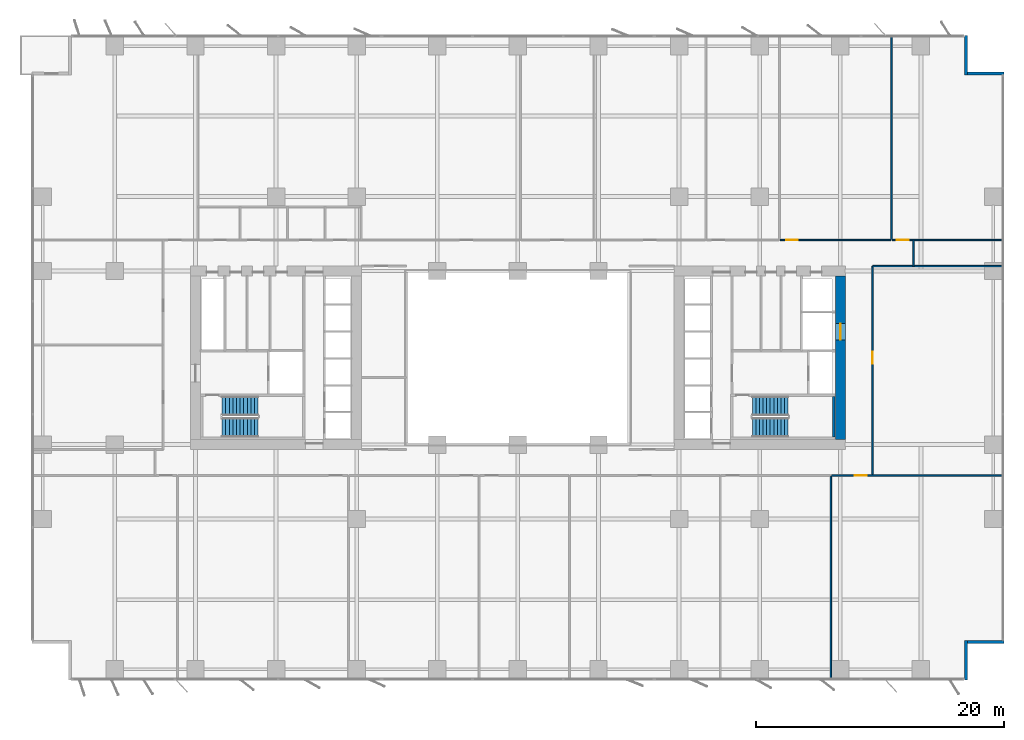
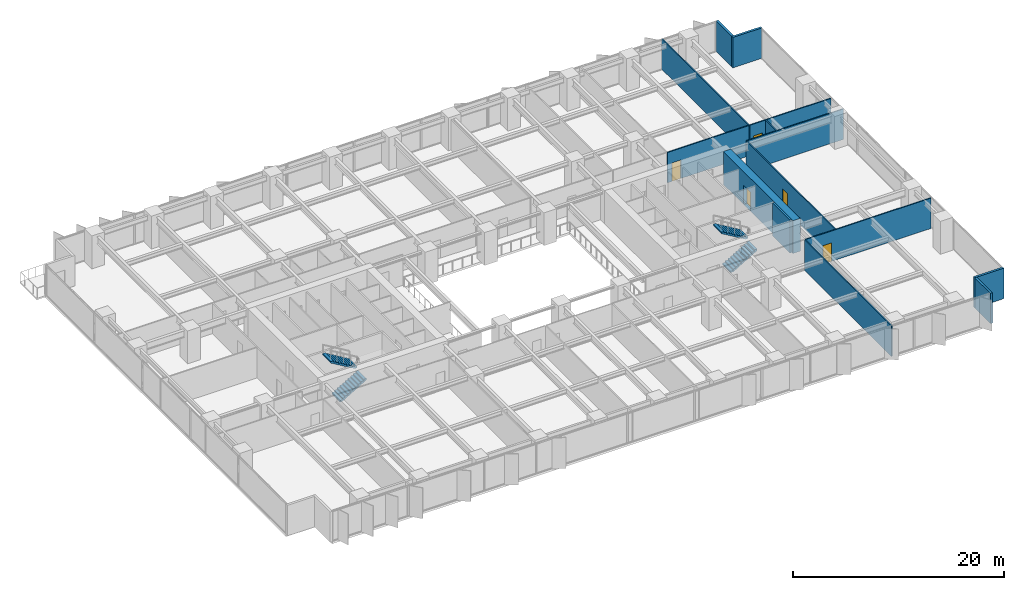
# One storey, part 16 of 20: 14 walls, 5 doors, 4 stair flights, 5 openings, 2 elements without a shape of their own.
"""IFC4 building model written with IfcOpenShell, lengths in metres."""

from ifc_helpers import new_model, si_unit, direction, frame, frame_2d, origin, place, context, subcontext, project, spatial, polyline, rectangle, outline, extrude, material, layer, layer_set, type_object, element, fill, aggregate, save


model = new_model("IFC4")

# Units and contexts
model_context = context("Model", 3, precision=1e-05, world=origin(), true_north=direction((0.0, 1.0)))
body_context = subcontext(model_context, "Body", "Model", "MODEL_VIEW")
ifc_project = project(units=[si_unit("LENGTHUNIT", "METRE"), si_unit("AREAUNIT", "SQUARE_METRE"), si_unit("VOLUMEUNIT", "CUBIC_METRE"), si_unit("PLANEANGLEUNIT", "RADIAN"), si_unit("MASSUNIT", "GRAM", prefix="KILO")], contexts=[model_context])

# Site, building, storey
site_placement = place(None, origin())
site = spatial("IfcSite", under=ifc_project, at=site_placement, CompositionType="ELEMENT")
building_placement = place(site_placement, origin())
building = spatial("IfcBuilding", under=site, at=building_placement, Name="Putna Gate Headquarters", CompositionType="ELEMENT")
storey_placement = place(building_placement, frame((0.0, 0.0, 77.199951171875)))
storey = spatial("IfcBuildingStorey", under=building, at=storey_placement, Name="L18", CompositionType="ELEMENT", Elevation=77.199951171875)

# Wall, opening, door
ifc_material_1 = material(Name="Concrete C60/75", Category="concrete")
ifc_layer_1 = layer(ifc_material_1, 0.800048828125)
ifc_layer_set_1 = layer_set([ifc_layer_1], Name="Concrete C60/75")
wall_type_1 = type_object("IfcWallType", Name="WALL-CORE-800", PredefinedType="SHEAR", material=ifc_layer_set_1)
wall_1_placement = place(storey_placement, frame((65.0, 19.39990234375, 0.0), z_axis=(0.0, 0.0, 1.0), x_axis=(0.0, 1.0, 0.0)))
wall_1 = element("IfcWall", 1, at=wall_1_placement, inside=storey, type_object=wall_type_1, Name="L18 EC Split Core Shear Wall E", PredefinedType="SHEAR", context=body_context, shape_type="SweptSolid", body=[
    extrude(rectangle(XDim=13.2001953125, YDim=0.800048828125, at=frame_2d((6.60009765625, 0.0))), origin(), (0.0, 0.0, 1.0), 3.800048828125),
])
opening_1_placement = place(wall_1_placement, frame((8.050048828125, 0.0, 0.0)))
opening_1 = element("IfcOpeningElement", 2, at=opening_1_placement, cuts=wall_1, Name="Opening LD-2", PredefinedType="OPENING", context=body_context, shape_type="SweptSolid", body=[
    extrude(rectangle(XDim=1.300048828125, YDim=2.199951171875, at=frame_2d((0.64990234375, 1.10009765625))), frame((0.0, 0.409912109375, 0.0), z_axis=(0.0, -1.0, 0.0), x_axis=(1.0, 0.0, 0.0)), (0.0, 0.0, 1.0), 0.820068359375),
])
ifc_material_2 = material(Name="Heavy-duty goods lift sliding landing door")
door_type_1 = type_object("IfcDoorType", Name="DOOR-LIFT-1300", OperationType="DOUBLE_DOOR_SLIDING", PredefinedType="DOOR", material=ifc_material_2)
door_1_placement = place(opening_1_placement, origin())
door_1 = element("IfcDoor", 3, at=door_1_placement, inside=storey, type_object=door_type_1, Name="L18 Goods Lift Landing Door LD-15", OperationType="DOUBLE_DOOR_SLIDING", OverallHeight=2.199951171875, OverallWidth=1.300048828125, PredefinedType="DOOR", context=body_context, shape_type="SweptSolid", body=[
    extrude(rectangle(XDim=1.300048828125, YDim=2.199951171875, at=frame_2d((0.64990234375, 1.10009765625))), frame((0.0, 0.02490234375, 0.0), z_axis=(0.0, -1.0, 0.0), x_axis=(1.0, 0.0, 0.0)), (0.0, 0.0, 1.0), 0.050048828125),
])
fill(opening_1, door_1)

# Walls
ifc_material_3 = material(Name="Precast concrete C40/50", Category="concrete")
ifc_layer_2 = layer(ifc_material_3, 0.239990234375)
ifc_layer_set_2 = layer_set([ifc_layer_2], Name="Precast concrete C40/50")
wall_type_2 = type_object("IfcWallType", Name="WALL-EXT-TERR-240", PredefinedType="STANDARD", material=ifc_layer_set_2)
for number, where, z_axis, x_axis, name in (
    (4, (75.1201171875, 52.0, 0.0), (0.0, 0.0, 1.0), (0.0, -1.0, 0.0), "L18 Corner Notch Return Wall NE-V"),
    (5, (75.0, 48.919921875, 0.0), (0.0, 0.0, 1.0), (1.0, 0.0, 0.0), "L18 Corner Notch Return Wall NE-H"),
    (6, (75.1201171875, 3.199951171875, 0.0), (0.0, 0.0, 1.0), (0.0, -1.0, 0.0), "L18 Corner Notch Return Wall SE-V"),
    (7, (78.199951171875, 3.080078125, 0.0), (0.0, 0.0, 1.0), (-1.0, 0.0, 0.0), "L18 Corner Notch Return Wall SE-H"),
):
    element("IfcWall", number, at=place(storey_placement, frame(where, z_axis=z_axis, x_axis=x_axis)), inside=storey, type_object=wall_type_2, Name=name, PredefinedType="STANDARD", context=body_context, shape_type="SweptSolid", body=[
        extrude(rectangle(XDim=3.199951171875, YDim=0.239990234375, at=frame_2d((1.60009765625, 0.0))), origin(), (0.0, 0.0, 1.0), 3.52001953125),
    ])
ifc_material_4 = material(Name="Acoustic gypsum board on metal stud")
ifc_layer_3 = layer(ifc_material_4, 0.1201171875)
ifc_layer_set_3 = layer_set([ifc_layer_3], Name="Acoustic gypsum board on metal stud")
wall_type_3 = type_object("IfcWallType", Name="WALL-PART-120", PredefinedType="PARTITIONING", material=ifc_layer_set_3)
for number, where, z_axis, x_axis, name in (
    (8, (69.1123046875, 35.56005859375, 0.0), (0.0, 0.0, 1.0), (0.0, 1.0, 0.0), "L18 Interior Wall PART-L18-NB-DIV-06"),
    (9, (64.230224609375, 0.02001953125, 0.0), (0.0, 0.0, 1.0), (0.0, 1.0, 0.0), "L18 Interior Wall PART-L18-SB-DIV-06"),
):
    element("IfcWall", number, at=place(storey_placement, frame(where, z_axis=z_axis, x_axis=x_axis)), inside=storey, type_object=wall_type_3, Name=name, PredefinedType="PARTITIONING", context=body_context, shape_type="SweptSolid", body=[
        extrude(rectangle(XDim=16.419921875, YDim=0.1201171875, at=frame_2d((8.2099609375, 0.0))), origin(), (0.0, 0.0, 1.0), 3.52001953125),
    ])
ifc_material_5 = material(Name="Fire-rated gypsum board on metal stud")
ifc_layer_4 = layer(ifc_material_5, 0.1201171875)
ifc_layer_set_4 = layer_set([ifc_layer_4], Name="Fire-rated gypsum board on metal stud")
wall_type_4 = type_object("IfcWallType", Name="WALL-PART-120-RATED", PredefinedType="PARTITIONING", material=ifc_layer_set_4)
wall_2_placement = place(storey_placement, frame((70.912353515625, 33.39990234375, 0.0), z_axis=(0.0, 0.0, 1.0), x_axis=(0.0, 1.0, 0.0)))
element("IfcWall", 10, at=wall_2_placement, inside=storey, type_object=wall_type_4, Name="L18 Interior Wall PART-L18-CORRN-CAPE", PredefinedType="PARTITIONING", context=body_context, shape_type="SweptSolid", body=[
    extrude(rectangle(XDim=2.10009765625, YDim=0.1201171875, at=frame_2d((1.050048828125, 0.0))), origin(), (0.0, 0.0, 1.0), 3.52001953125),
])

# Wall, opening, door
wall_3_placement = place(storey_placement, frame((60.154541015625, 35.5, 0.0), z_axis=(0.0, 0.0, 1.0), x_axis=(1.0, 0.0, 0.0)))
wall_3 = element("IfcWall", 11, at=wall_3_placement, inside=storey, type_object=wall_type_4, Name="L18 Interior Wall PART-L18-NB-CW-06", PredefinedType="PARTITIONING", context=body_context, shape_type="SweptSolid", body=[
    extrude(rectangle(XDim=8.897705078125, YDim=0.1201171875, at=frame_2d((4.44873046875, 0.0))), origin(), (0.0, 0.0, 1.0), 3.52001953125),
])
opening_2_placement = place(wall_3_placement, frame((0.47998046875, 0.0, 0.0)))
opening_2 = element("IfcOpeningElement", 12, at=opening_2_placement, cuts=wall_3, Name="Opening FD-95", PredefinedType="OPENING", context=body_context, shape_type="SweptSolid", body=[
    extrude(rectangle(XDim=0.949951171875, YDim=2.14990234375, at=frame_2d((0.47509765625, 1.074951171875))), frame((0.0, 0.070068359375, 0.0), z_axis=(0.0, -1.0, 0.0), x_axis=(1.0, 0.0, 0.0)), (0.0, 0.0, 1.0), 0.14013671875),
])
ifc_material_6 = material(Name="Acoustic timber fire door", Category="wood")
door_type_2 = type_object("IfcDoorType", Name="DOOR-FIRE-950", OperationType="NOTDEFINED", PredefinedType="DOOR", material=ifc_material_6)
door_2_placement = place(opening_2_placement, origin())
door_2 = element("IfcDoor", 13, at=door_2_placement, inside=storey, type_object=door_type_2, Name="L18 Conference Meeting Room 5 Door", OperationType="SINGLE_SWING_LEFT", OverallHeight=2.14990234375, OverallWidth=0.949951171875, PredefinedType="DOOR", context=body_context, shape_type="SweptSolid", body=[
    extrude(rectangle(XDim=0.949951171875, YDim=2.14990234375, at=frame_2d((0.47509765625, 1.074951171875))), frame((0.0, 0.02490234375, 0.0), z_axis=(0.0, -1.0, 0.0), x_axis=(1.0, 0.0, 0.0)), (0.0, 0.0, 1.0), 0.050048828125),
])
fill(opening_2, door_2)

wall_4_placement = place(storey_placement, frame((69.17236328125, 35.5, 0.0), z_axis=(0.0, 0.0, 1.0), x_axis=(1.0, 0.0, 0.0)))
wall_4 = element("IfcWall", 14, at=wall_4_placement, inside=storey, type_object=wall_type_4, Name="L18 Interior Wall PART-L18-NB-CW-07", PredefinedType="PARTITIONING", context=body_context, shape_type="SweptSolid", body=[
    extrude(rectangle(XDim=8.84765625, YDim=0.1201171875, at=frame_2d((4.423828125, 0.0))), origin(), (0.0, 0.0, 1.0), 3.52001953125),
])
opening_3_placement = place(wall_4_placement, frame((0.39501953125, 0.0, 0.0)))
opening_3 = element("IfcOpeningElement", 15, at=opening_3_placement, cuts=wall_4, Name="Opening FD-95", PredefinedType="OPENING", context=body_context, shape_type="SweptSolid", body=[
    extrude(rectangle(XDim=0.949951171875, YDim=2.14990234375, at=frame_2d((0.47509765625, 1.074951171875))), frame((0.0, 0.070068359375, 0.0), z_axis=(0.0, -1.0, 0.0), x_axis=(1.0, 0.0, 0.0)), (0.0, 0.0, 1.0), 0.14013671875),
])
door_3_placement = place(opening_3_placement, origin())
door_3 = element("IfcDoor", 16, at=door_3_placement, inside=storey, type_object=door_type_2, Name="L18 Cellular Office 1 Door", OperationType="SINGLE_SWING_RIGHT", OverallHeight=2.14990234375, OverallWidth=0.949951171875, PredefinedType="DOOR", context=body_context, shape_type="SweptSolid", body=[
    extrude(rectangle(XDim=0.949951171875, YDim=2.14990234375, at=frame_2d((0.47509765625, 1.074951171875))), frame((0.0, 0.02490234375, 0.0), z_axis=(0.0, -1.0, 0.0), x_axis=(1.0, 0.0, 0.0)), (0.0, 0.0, 1.0), 0.050048828125),
])
fill(opening_3, door_3)

wall_5_placement = place(storey_placement, frame((64.290283203125, 16.5, 0.0), z_axis=(0.0, 0.0, 1.0), x_axis=(1.0, 0.0, 0.0)))
wall_5 = element("IfcWall", 17, at=wall_5_placement, inside=storey, type_object=wall_type_4, Name="L18 Interior Wall PART-L18-SB-CW-07", PredefinedType="PARTITIONING", context=body_context, shape_type="SweptSolid", body=[
    extrude(rectangle(XDim=13.729736328125, YDim=0.1201171875, at=frame_2d((6.86474609375, 0.0))), origin(), (0.0, 0.0, 1.0), 3.52001953125),
])
opening_4_placement = place(wall_5_placement, frame((1.879638671875, 0.0, 0.0)))
opening_4 = element("IfcOpeningElement", 18, at=opening_4_placement, cuts=wall_5, Name="Opening FD-95", PredefinedType="OPENING", context=body_context, shape_type="SweptSolid", body=[
    extrude(rectangle(XDim=0.949951171875, YDim=2.14990234375, at=frame_2d((0.47509765625, 1.074951171875))), frame((0.0, 0.070068359375, 0.0), z_axis=(0.0, -1.0, 0.0), x_axis=(1.0, 0.0, 0.0)), (0.0, 0.0, 1.0), 0.14013671875),
])
door_4_placement = place(opening_4_placement, origin())
door_4 = element("IfcDoor", 19, at=door_4_placement, inside=storey, type_object=door_type_2, Name="L18 Conference Meeting Room 1 Door", OperationType="SINGLE_SWING_LEFT", OverallHeight=2.14990234375, OverallWidth=0.949951171875, PredefinedType="DOOR", context=body_context, shape_type="SweptSolid", body=[
    extrude(rectangle(XDim=0.949951171875, YDim=2.14990234375, at=frame_2d((0.47509765625, 1.074951171875))), frame((0.0, 0.02490234375, 0.0), z_axis=(0.0, -1.0, 0.0), x_axis=(1.0, 0.0, 0.0)), (0.0, 0.0, 1.0), 0.050048828125),
])
fill(opening_4, door_4)

# Wall
wall_6_placement = place(storey_placement, frame((67.60009765625, 33.39990234375, 0.0), z_axis=(0.0, 0.0, 1.0), x_axis=(1.0, 0.0, 0.0)))
element("IfcWall", 20, at=wall_6_placement, inside=storey, type_object=wall_type_4, Name="L18 Interior Wall PART-L18-EW-N-BOUND", PredefinedType="PARTITIONING", context=body_context, shape_type="SweptSolid", body=[
    extrude(rectangle(XDim=10.579833984375, YDim=0.1201171875, at=frame_2d((5.2900390625, 0.0))), origin(), (0.0, 0.0, 1.0), 3.52001953125),
])

# Wall, opening, door
wall_7_placement = place(storey_placement, frame((67.60009765625, 16.5, 0.0), z_axis=(0.0, 0.0, 1.0), x_axis=(0.0, 1.0, 0.0)))
wall_7 = element("IfcWall", 21, at=wall_7_placement, inside=storey, type_object=wall_type_4, Name="L18 Interior Wall PART-L18-EW-CW-1", PredefinedType="PARTITIONING", context=body_context, shape_type="SweptSolid", body=[
    extrude(rectangle(XDim=16.89990234375, YDim=0.1201171875, at=frame_2d((8.449951171875, 0.0))), origin(), (0.0, 0.0, 1.0), 3.52001953125),
])
opening_5_placement = place(wall_7_placement, frame((9.02490234375, 0.0, 0.0)))
opening_5 = element("IfcOpeningElement", 22, at=opening_5_placement, cuts=wall_7, Name="Opening FD-95", PredefinedType="OPENING", context=body_context, shape_type="SweptSolid", body=[
    extrude(rectangle(XDim=0.949951171875, YDim=2.14990234375, at=frame_2d((0.47509765625, 1.074951171875))), frame((0.0, 0.070068359375, 0.0), z_axis=(0.0, -1.0, 0.0), x_axis=(1.0, 0.0, 0.0)), (0.0, 0.0, 1.0), 0.14013671875),
])
door_5_placement = place(opening_5_placement, origin())
door_5 = element("IfcDoor", 23, at=door_5_placement, inside=storey, type_object=door_type_2, Name="L18 East Horizon Conference Room 1 Door", OperationType="SINGLE_SWING_RIGHT", OverallHeight=2.14990234375, OverallWidth=0.949951171875, PredefinedType="DOOR", context=body_context, shape_type="SweptSolid", body=[
    extrude(rectangle(XDim=0.949951171875, YDim=2.14990234375, at=frame_2d((0.47509765625, 1.074951171875))), frame((0.0, 0.02490234375, 0.0), z_axis=(0.0, -1.0, 0.0), x_axis=(1.0, 0.0, 0.0)), (0.0, 0.0, 1.0), 0.050048828125),
])
fill(opening_5, door_5)

# Wall
ifc_material_7 = material(Name="Concrete C40/50", Category="concrete")
ifc_layer_5 = layer(ifc_material_7, 0.199951171875)
ifc_layer_set_5 = layer_set([ifc_layer_5], Name="Concrete C40/50")
wall_type_5 = type_object("IfcWallType", Name="WALL-SHAFT-RC200", PredefinedType="SHEAR", material=ifc_layer_set_5)
wall_8_placement = place(storey_placement, frame((64.489990234375, 19.610107421875, 0.0), z_axis=(0.0, 0.0, 1.0), x_axis=(0.0, 1.0, 0.0)))
element("IfcWall", 24, at=wall_8_placement, inside=storey, type_object=wall_type_5, Name="L18 Stair ST2 Structural Shaft Wall E", PredefinedType="SHEAR", context=body_context, shape_type="SweptSolid", body=[
    extrude(rectangle(XDim=3.27978515625, YDim=0.199951171875, at=frame_2d((1.639892578125, 0.0))), origin(), (0.0, 0.0, 1.0), 3.800048828125),
])

# Stair, stair flights
stair_type_1 = type_object("IfcStairType", Name="STAIR-ST1", PredefinedType="HALF_TURN_STAIR", material=ifc_material_7)
stair_1_placement = place(storey_placement, origin())
stair_1 = element("IfcStair", 25, at=stair_1_placement, inside=storey, type_object=stair_type_1, Name="L18 West Core Exit Stair ST1", PredefinedType="HALF_TURN_STAIR")
stair_flight_type_1 = type_object("IfcStairFlightType", Name="FLIGHT-ST1", PredefinedType="STRAIGHT", material=ifc_material_7)
stair_flight_1_placement = place(storey_placement, frame((15.14990234375, 20.375, 0.0), z_axis=(0.0, 0.0, 1.0), x_axis=(1.0, 0.0, 0.0)))
stair_flight_1 = element("IfcStairFlight", 26, at=stair_flight_1_placement, type_object=stair_flight_type_1, Name="ST1 flight 1", NumberOfRisers=11, NumberOfTreads=10, PredefinedType="STRAIGHT", RiserHeight=0.172727273, TreadLength=0.29, context=body_context, shape_type="SweptSolid", body=[
    extrude(outline(polyline([(0.0, 0.0), (0.0, 0.172607421875), (0.2900390625, 0.172607421875), (0.2900390625, 0.345458984375), (0.580078125, 0.345458984375), (0.580078125, 0.51806640625), (0.8701171875, 0.51806640625), (0.8701171875, 0.69091796875), (1.159912109375, 0.69091796875), (1.159912109375, 0.863525390625), (1.449951171875, 0.863525390625), (1.449951171875, 1.036376953125), (1.739990234375, 1.036376953125), (1.739990234375, 1.208984375), (2.030029296875, 1.208984375), (2.030029296875, 1.3818359375), (2.320068359375, 1.3818359375), (2.320068359375, 1.554443359375), (2.610107421875, 1.554443359375), (2.610107421875, 1.727294921875), (2.89990234375, 1.727294921875), (2.89990234375, 1.89990234375), (2.89990234375, 1.552734375), (0.29296875, 0.0), (0.0, 0.0)])), frame((0.0, 0.77490234375, 0.0), z_axis=(0.0, -1.0, 0.0), x_axis=(1.0, 0.0, 0.0)), (0.0, 0.0, 1.0), 1.550048828125),
])
stair_flight_2_placement = place(storey_placement, frame((18.050048828125, 22.125, 1.900146484375), z_axis=(0.0, 0.0, 1.0), x_axis=(-1.0, 0.0, 0.0)))
stair_flight_2 = element("IfcStairFlight", 27, at=stair_flight_2_placement, type_object=stair_flight_type_1, Name="ST1 flight 2", NumberOfRisers=11, NumberOfTreads=10, PredefinedType="STRAIGHT", RiserHeight=0.172727273, TreadLength=0.29, context=body_context, shape_type="SweptSolid", body=[
    extrude(outline(polyline([(0.0, 0.0), (0.0, 0.172607421875), (0.2900390625, 0.172607421875), (0.2900390625, 0.345458984375), (0.580078125, 0.345458984375), (0.580078125, 0.51806640625), (0.8701171875, 0.51806640625), (0.8701171875, 0.69091796875), (1.159912109375, 0.69091796875), (1.159912109375, 0.863525390625), (1.449951171875, 0.863525390625), (1.449951171875, 1.036376953125), (1.739990234375, 1.036376953125), (1.739990234375, 1.208984375), (2.030029296875, 1.208984375), (2.030029296875, 1.3818359375), (2.320068359375, 1.3818359375), (2.320068359375, 1.554443359375), (2.610107421875, 1.554443359375), (2.610107421875, 1.727294921875), (2.89990234375, 1.727294921875), (2.89990234375, 1.89990234375), (2.89990234375, 1.552734375), (0.29296875, 0.0), (0.0, 0.0)])), frame((0.0, 0.77490234375, 0.0), z_axis=(0.0, -1.0, 0.0), x_axis=(1.0, 0.0, 0.0)), (0.0, 0.0, 1.0), 1.550048828125),
])
aggregate(stair_1, [stair_flight_1, stair_flight_2])

stair_type_2 = type_object("IfcStairType", Name="STAIR-ST2", PredefinedType="HALF_TURN_STAIR", material=ifc_material_7)
stair_2_placement = place(storey_placement, origin())
stair_2 = element("IfcStair", 28, at=stair_2_placement, inside=storey, type_object=stair_type_2, Name="L18 East Core Exit Stair ST2", PredefinedType="HALF_TURN_STAIR")
stair_flight_type_2 = type_object("IfcStairFlightType", Name="FLIGHT-ST2", PredefinedType="STRAIGHT", material=ifc_material_7)
stair_flight_3_placement = place(storey_placement, frame((57.89990234375, 20.375, 0.0), z_axis=(0.0, 0.0, 1.0), x_axis=(1.0, 0.0, 0.0)))
stair_flight_3 = element("IfcStairFlight", 29, at=stair_flight_3_placement, type_object=stair_flight_type_2, Name="ST2 flight 1", NumberOfRisers=11, NumberOfTreads=10, PredefinedType="STRAIGHT", RiserHeight=0.172727273, TreadLength=0.29, context=body_context, shape_type="SweptSolid", body=[
    extrude(outline(polyline([(0.0, 0.0), (0.0, 0.172607421875), (0.2900390625, 0.172607421875), (0.2900390625, 0.345458984375), (0.580078125, 0.345458984375), (0.580078125, 0.51806640625), (0.8701171875, 0.51806640625), (0.8701171875, 0.69091796875), (1.159912109375, 0.69091796875), (1.159912109375, 0.863525390625), (1.449951171875, 0.863525390625), (1.449951171875, 1.036376953125), (1.739990234375, 1.036376953125), (1.739990234375, 1.208984375), (2.030029296875, 1.208984375), (2.030029296875, 1.3818359375), (2.320068359375, 1.3818359375), (2.320068359375, 1.554443359375), (2.610107421875, 1.554443359375), (2.610107421875, 1.727294921875), (2.89990234375, 1.727294921875), (2.89990234375, 1.89990234375), (2.89990234375, 1.552734375), (0.29296875, 0.0), (0.0, 0.0)])), frame((0.0, 0.77490234375, 0.0), z_axis=(0.0, -1.0, 0.0), x_axis=(1.0, 0.0, 0.0)), (0.0, 0.0, 1.0), 1.550048828125),
])
stair_flight_4_placement = place(storey_placement, frame((60.800048828125, 22.125, 1.900146484375), z_axis=(0.0, 0.0, 1.0), x_axis=(-1.0, 0.0, 0.0)))
stair_flight_4 = element("IfcStairFlight", 30, at=stair_flight_4_placement, type_object=stair_flight_type_2, Name="ST2 flight 2", NumberOfRisers=11, NumberOfTreads=10, PredefinedType="STRAIGHT", RiserHeight=0.172727273, TreadLength=0.29, context=body_context, shape_type="SweptSolid", body=[
    extrude(outline(polyline([(0.0, 0.0), (0.0, 0.172607421875), (0.2900390625, 0.172607421875), (0.2900390625, 0.345458984375), (0.580078125, 0.345458984375), (0.580078125, 0.51806640625), (0.8701171875, 0.51806640625), (0.8701171875, 0.69091796875), (1.159912109375, 0.69091796875), (1.159912109375, 0.863525390625), (1.449951171875, 0.863525390625), (1.449951171875, 1.036376953125), (1.739990234375, 1.036376953125), (1.739990234375, 1.208984375), (2.030029296875, 1.208984375), (2.030029296875, 1.3818359375), (2.320068359375, 1.3818359375), (2.320068359375, 1.554443359375), (2.610107421875, 1.554443359375), (2.610107421875, 1.727294921875), (2.89990234375, 1.727294921875), (2.89990234375, 1.89990234375), (2.89990234375, 1.552734375), (0.29296875, 0.0), (0.0, 0.0)])), frame((0.0, 0.77490234375, 0.0), z_axis=(0.0, -1.0, 0.0), x_axis=(1.0, 0.0, 0.0)), (0.0, 0.0, 1.0), 1.550048828125),
])
aggregate(stair_2, [stair_flight_3, stair_flight_4])

save(model, "model.ifc")
